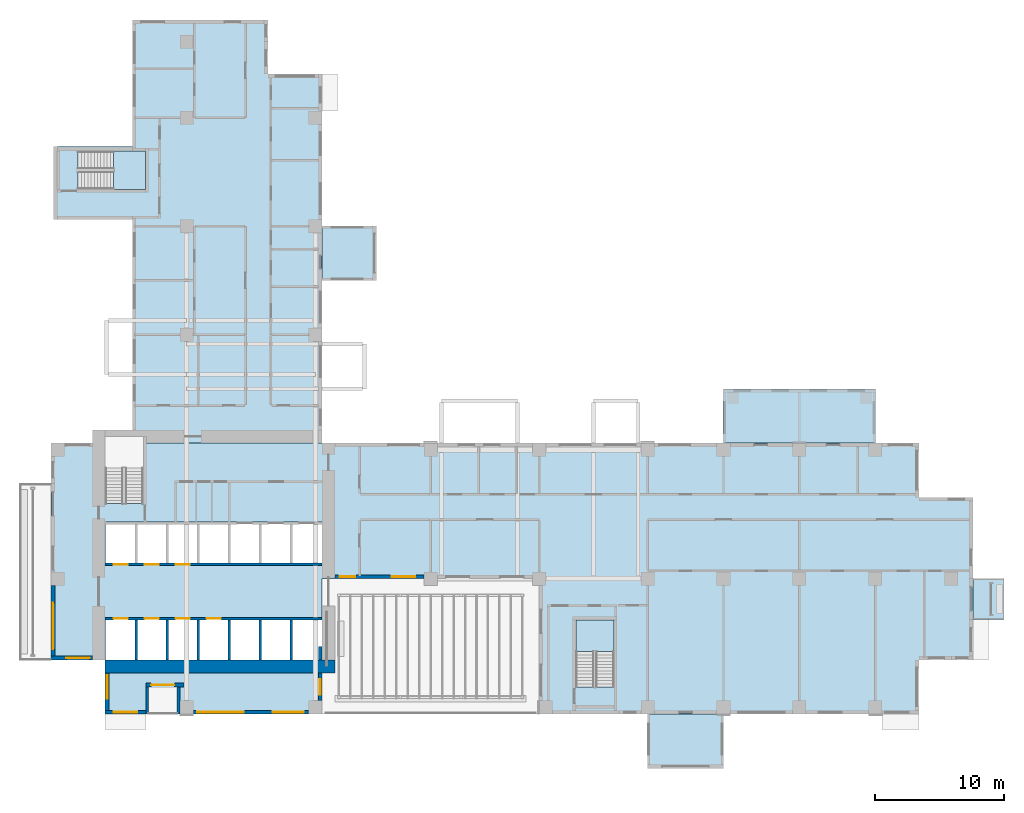
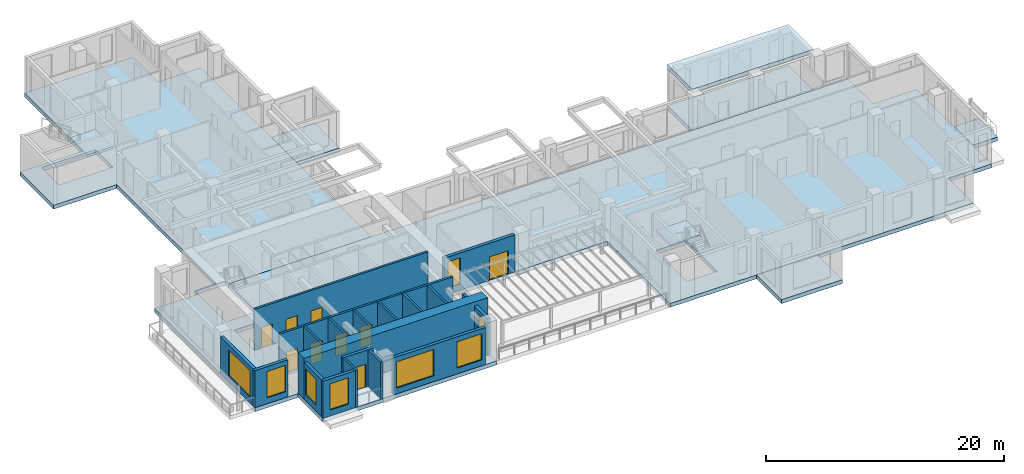
# One storey, part 3 of 15: 20 walls, 9 doors, 9 slabs, 8 windows, 17 openings, 2 elements without a shape of their own.
"""IFC4 building model written with IfcOpenShell, lengths in metres."""

from ifc_helpers import new_model, si_unit, direction, frame, frame_2d, origin, place, context, subcontext, project, spatial, polyline, rectangle, outline, extrude, source, transform, mapped, material, layer, layer_set, type_object, element, fill, aggregate, save


model = new_model("IFC4")

# Units and contexts
model_context = context("Model", 3, precision=1e-05, world=origin(), true_north=direction((0.0, 1.0)))
body_context = subcontext(model_context, "Body", "Model", "MODEL_VIEW")
ifc_project = project(units=[si_unit("LENGTHUNIT", "METRE"), si_unit("AREAUNIT", "SQUARE_METRE"), si_unit("VOLUMEUNIT", "CUBIC_METRE"), si_unit("PLANEANGLEUNIT", "RADIAN"), si_unit("MASSUNIT", "GRAM", prefix="KILO")], contexts=[model_context])

# Site, building, storey
site_placement = place(None, origin())
site = spatial("IfcSite", under=ifc_project, at=site_placement, CompositionType="ELEMENT")
building_placement = place(site_placement, origin())
building = spatial("IfcBuilding", under=site, at=building_placement, Name="Aurelian Terraces", CompositionType="ELEMENT")
storey_placement = place(building_placement, frame((0.0, 0.0, 145.5)))
storey = spatial("IfcBuildingStorey", under=building, at=storey_placement, Name="L32", CompositionType="ELEMENT", Elevation=145.5)

# Slabs
ifc_material_1 = material(Name="Concrete fc' 40 MPa", Category="concrete")
ifc_layer_1 = layer(ifc_material_1, 0.4)
ifc_layer_set_1 = layer_set([ifc_layer_1], Name="Box roof 400")
slab_type_1 = type_object("IfcSlabType", Name="Box roof 400", PredefinedType="ROOF", material=ifc_layer_set_1)
slab_1_placement = place(storey_placement, frame((0.0, 0.0, 3.8)))
element("IfcSlab", 1, at=slab_1_placement, inside=storey, type_object=slab_type_1, Name="Box roof K02", PredefinedType="ROOF", context=body_context, shape_type="SweptSolid", body=[
    extrude(outline(polyline([(63.84, 25.2), (52.08, 25.2), (52.08, 21.0), (63.84, 21.0), (63.84, 25.2)])), origin(), (0.0, 0.0, 1.0), 0.4),
])
ifc_layer_2 = layer(ifc_material_1, 0.4)
ifc_layer_set_2 = layer_set([ifc_layer_2], Name="PT FLAT PLATE 400")
slab_type_2 = type_object("IfcSlabType", Name="PT FLAT PLATE 400", PredefinedType="FLOOR", material=ifc_layer_set_2)
shared_shape_1 = source(origin(), body_context, "Body", "SweptSolid", [
    extrude(outline(polyline([(71.4, 16.8), (71.4, 4.2), (67.2, 4.2), (67.2, 0.0), (37.8, 0.0), (37.8, 10.5), (21.0, 10.5), (21.0, 0.0), (4.2, 0.0), (4.2, 4.2), (0.0, 4.2), (0.0, 21.0), (4.21, 21.0), (4.21, 16.31), (7.14, 16.31), (7.14, 21.0), (21.0, 21.0), (67.2, 21.0), (67.2, 16.8), (71.4, 16.8)]), holes=[polyline([(40.66, 2.11), (43.59, 2.11), (43.59, 7.29), (40.66, 7.29), (40.66, 2.11)]), polyline([(4.21, 7.49), (4.21, 4.21), (20.99, 4.21), (20.99, 7.49), (4.21, 7.49)]), polyline([(4.21, 14.89), (4.21, 11.51), (20.99, 11.51), (20.99, 14.89), (4.21, 14.89)])]), origin(), (0.0, 0.0, 1.0), 0.4),
])
slab_2_placement = place(storey_placement, frame((0.0, 0.0, -0.4)))
element("IfcSlab", 2, at=slab_2_placement, inside=storey, type_object=slab_type_2, Name="Floor slab S L32", PredefinedType="FLOOR", context=body_context, shape_type="MappedRepresentation", body=[
    mapped(shared_shape_1, transform((0.0, 0.0, 0.0), scale=1.0)),
])
shared_shape_2 = source(origin(), body_context, "Body", "SweptSolid", [
    extrude(outline(polyline([(0.2, 43.95), (6.3, 43.95), (6.3, 49.56), (6.3, 53.76), (10.5, 53.76), (16.8, 53.76), (16.8, 49.56), (21.0, 49.56), (21.0, 21.0), (7.14, 21.0), (7.14, 21.49), (4.21, 21.49), (4.21, 21.0), (4.2, 21.0), (4.2, 21.6), (6.3, 21.6), (6.3, 38.3), (0.2, 38.3), (0.2, 43.95)]), holes=[polyline([(7.29, 43.59), (2.11, 43.59), (2.11, 40.66), (7.29, 40.66), (7.29, 43.59)])]), origin(), (0.0, 0.0, 1.0), 0.4),
])
slab_3_placement = place(storey_placement, frame((0.0, 0.0, -0.4)))
element("IfcSlab", 3, at=slab_3_placement, inside=storey, type_object=slab_type_2, Name="Floor slab W L32", PredefinedType="FLOOR", context=body_context, shape_type="MappedRepresentation", body=[
    mapped(shared_shape_2, transform((0.0, 0.0, 0.0), scale=1.0)),
])
ifc_layer_3 = layer(ifc_material_1, 0.41)
ifc_layer_set_3 = layer_set([ifc_layer_3], Name="Box floor 410")
slab_type_3 = type_object("IfcSlabType", Name="Box floor 410", PredefinedType="NOTDEFINED", material=ifc_layer_set_3)
shared_shape_3 = source(origin(), body_context, "Body", "SweptSolid", [
    extrude(outline(polyline([(46.2, -4.2), (52.08, -4.2), (52.08, 0.0), (46.2, 0.0), (46.2, -4.2)])), origin(), (0.0, 0.0, 1.0), 0.41),
])
slab_4_placement = place(storey_placement, frame((0.0, 0.0, -0.41)))
element("IfcSlab", 4, at=slab_4_placement, inside=storey, type_object=slab_type_3, Name="Box floor L32 J45", PredefinedType="NOTDEFINED", context=body_context, shape_type="MappedRepresentation", body=[
    mapped(shared_shape_3, transform((0.0, 0.0, 0.0), scale=1.0)),
])
ifc_layer_4 = layer(ifc_material_1, 0.4)
ifc_layer_set_4 = layer_set([ifc_layer_4], Name="Balcony slab 400")
slab_type_4 = type_object("IfcSlabType", Name="Balcony slab 400", PredefinedType="NOTDEFINED", material=ifc_layer_set_4)
shared_shape_4 = source(origin(), body_context, "Body", "SweptSolid", [
    extrude(outline(polyline([(71.4, 7.35), (71.4, 10.5), (73.8, 10.5), (73.8, 7.35), (71.4, 7.35)])), origin(), (0.0, 0.0, 1.0), 0.4),
])
slab_5_placement = place(storey_placement, frame((0.0, 0.0, -0.4)))
element("IfcSlab", 5, at=slab_5_placement, inside=storey, type_object=slab_type_4, Name="Balcony slab L32 F08.18", PredefinedType="NOTDEFINED", context=body_context, shape_type="MappedRepresentation", body=[
    mapped(shared_shape_4, transform((0.0, 0.0, 0.0), scale=1.0)),
])
shared_shape_5 = source(origin(), body_context, "Body", "SweptSolid", [
    extrude(outline(polyline([(25.2, 33.6), (25.2, 37.8), (21.0, 37.8), (21.0, 33.6), (25.2, 33.6)])), origin(), (0.0, 0.0, 1.0), 0.41),
])
slab_6_placement = place(storey_placement, frame((0.0, 0.0, -0.41)))
element("IfcSlab", 6, at=slab_6_placement, inside=storey, type_object=slab_type_3, Name="Box floor L32 J46", PredefinedType="NOTDEFINED", context=body_context, shape_type="MappedRepresentation", body=[
    mapped(shared_shape_5, transform((0.0, 0.0, 0.0), scale=1.0)),
])
shared_shape_6 = source(origin(), body_context, "Body", "SweptSolid", [
    extrude(outline(polyline([(63.84, 25.2), (52.08, 25.2), (52.08, 21.0), (63.84, 21.0), (63.84, 25.2)])), origin(), (0.0, 0.0, 1.0), 0.41),
])
slab_7_placement = place(storey_placement, frame((0.0, 0.0, -0.41)))
element("IfcSlab", 7, at=slab_7_placement, inside=storey, type_object=slab_type_3, Name="Box floor L32 K02", PredefinedType="NOTDEFINED", context=body_context, shape_type="MappedRepresentation", body=[
    mapped(shared_shape_6, transform((0.0, 0.0, 0.0), scale=1.0)),
])

# Stair, slab
stair_type = type_object("IfcStairType", Name="Stair 1400", PredefinedType="HALF_TURN_STAIR", material=ifc_material_1)
stair_1_placement = place(storey_placement, origin())
stair_1 = element("IfcStair", 8, at=stair_1_placement, inside=storey, type_object=stair_type, Name="L32 S2", PredefinedType="HALF_TURN_STAIR")
ifc_layer_5 = layer(ifc_material_1, 0.2)
ifc_layer_set_5 = layer_set([ifc_layer_5], Name="Stair landing 200")
slab_type_5 = type_object("IfcSlabType", Name="Stair landing 200", PredefinedType="LANDING", material=ifc_layer_set_5)
shared_shape_7 = source(origin(), body_context, "Body", "SweptSolid", [
    extrude(outline(polyline([(43.6, 4.85), (43.6, 7.3), (40.65, 7.3), (40.65, 4.85), (43.6, 4.85)])), origin(), (0.0, 0.0, 1.0), 0.2),
])
slab_8_placement = place(storey_placement, frame((0.0, 0.0, 1.9)))
slab_8 = element("IfcSlab", 9, at=slab_8_placement, type_object=slab_type_5, Name="S2 landing 1", PredefinedType="LANDING", context=body_context, shape_type="MappedRepresentation", body=[
    mapped(shared_shape_7, transform((0.0, 0.0, 0.0), scale=1.0)),
])
aggregate(stair_1, [slab_8])

stair_2_placement = place(storey_placement, origin())
stair_2 = element("IfcStair", 10, at=stair_2_placement, inside=storey, type_object=stair_type, Name="L32 S3", PredefinedType="HALF_TURN_STAIR")
shared_shape_8 = source(origin(), body_context, "Body", "SweptSolid", [
    extrude(outline(polyline([(4.85, 40.65), (7.3, 40.65), (7.3, 43.6), (4.85, 43.6), (4.85, 40.65)])), origin(), (0.0, 0.0, 1.0), 0.2),
])
slab_9_placement = place(storey_placement, frame((0.0, 0.0, 1.9)))
slab_9 = element("IfcSlab", 11, at=slab_9_placement, type_object=slab_type_5, Name="S3 landing 1", PredefinedType="LANDING", context=body_context, shape_type="MappedRepresentation", body=[
    mapped(shared_shape_8, transform((0.0, 0.0, 0.0), scale=1.0)),
])
aggregate(stair_2, [slab_9])

# Wall
ifc_material_2 = material(Name="Concrete fc' 83 MPa", Category="concrete")
ifc_layer_6 = layer(ifc_material_2, 1.0)
ifc_layer_set_6 = layer_set([ifc_layer_6], Name="CORE WALL 1000 FC83")
wall_type_1 = type_object("IfcWallType", Name="CORE WALL 1000 FC83", PredefinedType="SHEAR", material=ifc_layer_set_6)
shared_shape_9 = source(origin(), body_context, "Body", "SweptSolid", [
    extrude(rectangle(XDim=17.8, YDim=1.0, at=frame_2d((8.9, 0.0))), origin(), (0.0, 0.0, 1.0), 4.2),
])
wall_1_placement = place(storey_placement, frame((4.2, 3.7, 0.0), z_axis=(0.0, 0.0, 1.0), x_axis=(1.0, 0.0, 0.0)))
element("IfcWall", 12, at=wall_1_placement, inside=storey, type_object=wall_type_1, Name="Core wall S L32", PredefinedType="SHEAR", context=body_context, shape_type="MappedRepresentation", body=[
    mapped(shared_shape_9, transform((0.0, 0.0, 0.0), scale=1.0)),
])

# Wall, opening, window
ifc_material_3 = material(Name="Terracotta rainscreen cladding", Category="masonry")
ifc_layer_7 = layer(ifc_material_3, 0.3)
ifc_layer_set_7 = layer_set([ifc_layer_7], Name="EW-300")
wall_type_2 = type_object("IfcWallType", Name="EW-300", PredefinedType="STANDARD", material=ifc_layer_set_7)
shared_shape_10 = source(origin(), body_context, "Body", "SweptSolid", [
    extrude(rectangle(XDim=3.15, YDim=0.3, at=frame_2d((1.575, 0.0))), origin(), (0.0, 0.0, 1.0), 3.8),
])
wall_2_placement = place(storey_placement, frame((4.2, 0.15, 0.0), z_axis=(0.0, 0.0, 1.0), x_axis=(1.0, 0.0, 0.0)))
wall_2 = element("IfcWall", 13, at=wall_2_placement, inside=storey, type_object=wall_type_2, Name="External wall L32 F01.1", PredefinedType="STANDARD", context=body_context, shape_type="MappedRepresentation", body=[
    mapped(shared_shape_10, transform((0.0, 0.0, 0.0), scale=1.0)),
])
shared_shape_11 = source(origin(), body_context, "Body", "SweptSolid", [
    extrude(rectangle(XDim=1.8, YDim=2.7, at=frame_2d((0.9, 1.35))), frame((0.0, 0.16, 0.0), z_axis=(0.0, -1.0, 0.0), x_axis=(1.0, 0.0, 0.0)), (0.0, 0.0, 1.0), 0.32),
])
opening_1_placement = place(wall_2_placement, frame((0.675, 0.0, 0.6)))
opening_1 = element("IfcOpeningElement", 14, at=opening_1_placement, cuts=wall_2, Name="Opening W1827", PredefinedType="OPENING", context=body_context, shape_type="MappedRepresentation", body=[
    mapped(shared_shape_11, transform((0.0, 0.0, 0.0), scale=1.0)),
])
ifc_material_4 = material(Name="Clear glazing", Category="glass")
window_type_1 = type_object("IfcWindowType", Name="W-1800x2700", PartitioningType="SINGLE_PANEL", PredefinedType="WINDOW", material=ifc_material_4)
shared_shape_12 = source(origin(), body_context, "Body", "SweptSolid", [
    extrude(rectangle(XDim=1.8, YDim=2.7, at=frame_2d((0.9, 1.35))), frame((0.0, 0.03, 0.0), z_axis=(0.0, -1.0, 0.0), x_axis=(1.0, 0.0, 0.0)), (0.0, 0.0, 1.0), 0.06),
])
window_1_placement = place(opening_1_placement, origin())
window_1 = element("IfcWindow", 15, at=window_1_placement, inside=storey, type_object=window_type_1, Name="Window L32 L32-F01-01-0", OverallHeight=2.7, OverallWidth=1.8, PartitioningType="SINGLE_PANEL", PredefinedType="WINDOW", context=body_context, shape_type="MappedRepresentation", body=[
    mapped(shared_shape_12, transform((0.0, 0.0, 0.0), scale=1.0)),
])
fill(opening_1, window_1)

# Walls
ifc_layer_8 = layer(ifc_material_3, 0.2)
ifc_layer_set_8 = layer_set([ifc_layer_8], Name="EW-200")
wall_type_3 = type_object("IfcWallType", Name="EW-200", PredefinedType="STANDARD", material=ifc_layer_set_8)
shared_shape_13 = source(origin(), body_context, "Body", "SweptSolid", [
    extrude(rectangle(XDim=2.1, YDim=0.2, at=frame_2d((1.05, 0.0))), origin(), (0.0, 0.0, 1.0), 3.8),
])
for number, where, z_axis, x_axis, name in (
    (16, (7.45, 0.0, 0.0), (0.0, 0.0, 1.0), (0.0, 1.0, 0.0), "Loggia return L32 F01.2.1"),
    (17, (9.875, 0.0, 0.0), (0.0, 0.0, 1.0), (0.0, 1.0, 0.0), "Loggia return L32 F01.2.2"),
):
    element("IfcWall", number, at=place(storey_placement, frame(where, z_axis=z_axis, x_axis=x_axis)), inside=storey, type_object=wall_type_3, Name=name, PredefinedType="STANDARD", context=body_context, shape_type="MappedRepresentation", body=[
        mapped(shared_shape_13, transform((0.0, 0.0, 0.0), scale=1.0)),
    ])
shared_shape_14 = source(origin(), body_context, "Body", "SweptSolid", [
    extrude(rectangle(XDim=1.05, YDim=0.3, at=frame_2d((0.525, 0.0))), origin(), (0.0, 0.0, 1.0), 3.8),
])
wall_3_placement = place(storey_placement, frame((20.85, 4.2, 0.0), z_axis=(0.0, 0.0, 1.0), x_axis=(0.0, 1.0, 0.0)))
element("IfcWall", 18, at=wall_3_placement, inside=storey, type_object=wall_type_2, Name="External wall L32 F02.4", PredefinedType="STANDARD", context=body_context, shape_type="MappedRepresentation", body=[
    mapped(shared_shape_14, transform((0.0, 0.0, 0.0), scale=1.0)),
])

# Wall, opening, door
shared_shape_15 = source(origin(), body_context, "Body", "SweptSolid", [
    extrude(rectangle(XDim=2.95, YDim=0.3, at=frame_2d((1.475, 0.0))), origin(), (0.0, 0.0, 1.0), 3.8),
])
wall_4_placement = place(storey_placement, frame((7.35, 2.25, 0.0), z_axis=(0.0, 0.0, 1.0), x_axis=(1.0, 0.0, 0.0)))
wall_4 = element("IfcWall", 19, at=wall_4_placement, inside=storey, type_object=wall_type_2, Name="Loggia wall L32 F01.2", PredefinedType="STANDARD", context=body_context, shape_type="MappedRepresentation", body=[
    mapped(shared_shape_15, transform((0.0, 0.0, 0.0), scale=1.0)),
])
shared_shape_16 = source(origin(), body_context, "Body", "SweptSolid", [
    extrude(rectangle(XDim=1.8, YDim=2.4, at=frame_2d((0.9, 1.2))), frame((0.0, 0.16, 0.0), z_axis=(0.0, -1.0, 0.0), x_axis=(1.0, 0.0, 0.0)), (0.0, 0.0, 1.0), 0.32),
])
opening_2_placement = place(wall_4_placement, frame((0.4125, 0.0, 0.0)))
opening_2 = element("IfcOpeningElement", 20, at=opening_2_placement, cuts=wall_4, Name="Opening 83201", PredefinedType="OPENING", context=body_context, shape_type="MappedRepresentation", body=[
    mapped(shared_shape_16, transform((0.0, 0.0, 0.0), scale=1.0)),
])
door_type_1 = type_object("IfcDoorType", Name="BD-1800x2400", OperationType="SLIDING_TO_LEFT", PredefinedType="DOOR", material=ifc_material_4)
shared_shape_17 = source(origin(), body_context, "Body", "SweptSolid", [
    extrude(rectangle(XDim=1.8, YDim=2.4, at=frame_2d((0.9, 1.2))), frame((0.0, 0.025, 0.0), z_axis=(0.0, -1.0, 0.0), x_axis=(1.0, 0.0, 0.0)), (0.0, 0.0, 1.0), 0.05),
])
door_1_placement = place(opening_2_placement, origin())
door_1 = element("IfcDoor", 21, at=door_1_placement, inside=storey, type_object=door_type_1, Name="Balcony door L32 F01.2", OperationType="SLIDING_TO_LEFT", OverallHeight=2.4, OverallWidth=1.8, PredefinedType="DOOR", context=body_context, shape_type="MappedRepresentation", body=[
    mapped(shared_shape_17, transform((0.0, 0.0, 0.0), scale=1.0)),
])
fill(opening_2, door_1)

# Wall, openings, windows
shared_shape_18 = source(origin(), body_context, "Body", "SweptSolid", [
    extrude(rectangle(XDim=8.925, YDim=0.3, at=frame_2d((4.4625, 0.0))), origin(), (0.0, 0.0, 1.0), 3.8),
])
wall_5_placement = place(storey_placement, frame((11.025, 0.15, 0.0), z_axis=(0.0, 0.0, 1.0), x_axis=(1.0, 0.0, 0.0)))
wall_5 = element("IfcWall", 22, at=wall_5_placement, inside=storey, type_object=wall_type_2, Name="External wall L32 F01.3", PredefinedType="STANDARD", context=body_context, shape_type="MappedRepresentation", body=[
    mapped(shared_shape_18, transform((0.0, 0.0, 0.0), scale=1.0)),
])
shared_shape_19 = source(origin(), body_context, "Body", "SweptSolid", [
    extrude(rectangle(XDim=3.6, YDim=2.7, at=frame_2d((1.8, 1.35))), frame((0.0, 0.16, 0.0), z_axis=(0.0, -1.0, 0.0), x_axis=(1.0, 0.0, 0.0)), (0.0, 0.0, 1.0), 0.32),
])
opening_3_placement = place(wall_5_placement, frame((0.3, 0.0, 0.6)))
opening_3 = element("IfcOpeningElement", 23, at=opening_3_placement, cuts=wall_5, Name="Opening W3627", PredefinedType="OPENING", context=body_context, shape_type="MappedRepresentation", body=[
    mapped(shared_shape_19, transform((0.0, 0.0, 0.0), scale=1.0)),
])
shared_shape_20 = source(origin(), body_context, "Body", "SweptSolid", [
    extrude(rectangle(XDim=2.4, YDim=2.7, at=frame_2d((1.2, 1.35))), frame((0.0, 0.16, 0.0), z_axis=(0.0, -1.0, 0.0), x_axis=(1.0, 0.0, 0.0)), (0.0, 0.0, 1.0), 0.32),
])
opening_4_placement = place(wall_5_placement, frame((6.15, 0.0, 0.6)))
opening_4 = element("IfcOpeningElement", 24, at=opening_4_placement, cuts=wall_5, Name="Opening W2427", PredefinedType="OPENING", context=body_context, shape_type="MappedRepresentation", body=[
    mapped(shared_shape_20, transform((0.0, 0.0, 0.0), scale=1.0)),
])
window_type_2 = type_object("IfcWindowType", Name="W-3600x2700", PartitioningType="SINGLE_PANEL", PredefinedType="WINDOW", material=ifc_material_4)
shared_shape_21 = source(origin(), body_context, "Body", "SweptSolid", [
    extrude(rectangle(XDim=3.6, YDim=2.7, at=frame_2d((1.8, 1.35))), frame((0.0, 0.03, 0.0), z_axis=(0.0, -1.0, 0.0), x_axis=(1.0, 0.0, 0.0)), (0.0, 0.0, 1.0), 0.06),
])
window_2_placement = place(opening_3_placement, origin())
window_2 = element("IfcWindow", 25, at=window_2_placement, inside=storey, type_object=window_type_2, Name="Window L32 L32-F01-03-0", OverallHeight=2.7, OverallWidth=3.6, PartitioningType="SINGLE_PANEL", PredefinedType="WINDOW", context=body_context, shape_type="MappedRepresentation", body=[
    mapped(shared_shape_21, transform((0.0, 0.0, 0.0), scale=1.0)),
])
fill(opening_3, window_2)
window_type_3 = type_object("IfcWindowType", Name="W-2400x2700", PartitioningType="SINGLE_PANEL", PredefinedType="WINDOW", material=ifc_material_4)
shared_shape_22 = source(origin(), body_context, "Body", "SweptSolid", [
    extrude(rectangle(XDim=2.4, YDim=2.7, at=frame_2d((1.2, 1.35))), frame((0.0, 0.03, 0.0), z_axis=(0.0, -1.0, 0.0), x_axis=(1.0, 0.0, 0.0)), (0.0, 0.0, 1.0), 0.06),
])
window_3_placement = place(opening_4_placement, origin())
window_3 = element("IfcWindow", 26, at=window_3_placement, inside=storey, type_object=window_type_3, Name="Window L32 L32-F01-03-1", OverallHeight=2.7, OverallWidth=2.4, PartitioningType="SINGLE_PANEL", PredefinedType="WINDOW", context=body_context, shape_type="MappedRepresentation", body=[
    mapped(shared_shape_22, transform((0.0, 0.0, 0.0), scale=1.0)),
])
fill(opening_4, window_3)

# Wall, openings, door, window
shared_shape_23 = source(origin(), body_context, "Body", "SweptSolid", [
    extrude(rectangle(XDim=6.875, YDim=0.3, at=frame_2d((3.4375, 0.0))), origin(), (0.0, 0.0, 1.0), 3.8),
])
wall_6_placement = place(storey_placement, frame((22.0, 10.65, 0.0), z_axis=(0.0, 0.0, 1.0), x_axis=(1.0, 0.0, 0.0)))
wall_6 = element("IfcWall", 27, at=wall_6_placement, inside=storey, type_object=wall_type_2, Name="External wall L32 F03.6", PredefinedType="STANDARD", context=body_context, shape_type="MappedRepresentation", body=[
    mapped(shared_shape_23, transform((0.0, 0.0, 0.0), scale=1.0)),
])
shared_shape_24 = source(origin(), body_context, "Body", "SweptSolid", [
    extrude(rectangle(XDim=1.2, YDim=2.7, at=frame_2d((0.6, 1.35))), frame((0.0, 0.16, 0.0), z_axis=(0.0, -1.0, 0.0), x_axis=(1.0, 0.0, 0.0)), (0.0, 0.0, 1.0), 0.32),
])
opening_5_placement = place(wall_6_placement, frame((0.3625, 0.0, 0.6)))
opening_5 = element("IfcOpeningElement", 28, at=opening_5_placement, cuts=wall_6, Name="Opening W1227", PredefinedType="OPENING", context=body_context, shape_type="MappedRepresentation", body=[
    mapped(shared_shape_24, transform((0.0, 0.0, 0.0), scale=1.0)),
])
opening_6_placement = place(wall_6_placement, frame((4.4, 0.0, 0.0)))
opening_6 = element("IfcOpeningElement", 29, at=opening_6_placement, cuts=wall_6, Name="Opening 83202", PredefinedType="OPENING", context=body_context, shape_type="MappedRepresentation", body=[
    mapped(shared_shape_16, transform((0.0, 0.0, 0.0), scale=1.0)),
])
door_2_placement = place(opening_6_placement, origin())
door_2 = element("IfcDoor", 30, at=door_2_placement, inside=storey, type_object=door_type_1, Name="Terrace door L32 L32-F03-06.2", OperationType="SLIDING_TO_LEFT", OverallHeight=2.4, OverallWidth=1.8, PredefinedType="DOOR", context=body_context, shape_type="MappedRepresentation", body=[
    mapped(shared_shape_17, transform((0.0, 0.0, 0.0), scale=1.0)),
])
fill(opening_6, door_2)
window_type_4 = type_object("IfcWindowType", Name="W-1200x2700", PartitioningType="SINGLE_PANEL", PredefinedType="WINDOW", material=ifc_material_4)
shared_shape_25 = source(origin(), body_context, "Body", "SweptSolid", [
    extrude(rectangle(XDim=1.2, YDim=2.7, at=frame_2d((0.6, 1.35))), frame((0.0, 0.03, 0.0), z_axis=(0.0, -1.0, 0.0), x_axis=(1.0, 0.0, 0.0)), (0.0, 0.0, 1.0), 0.06),
])
window_4_placement = place(opening_5_placement, origin())
window_4 = element("IfcWindow", 31, at=window_4_placement, inside=storey, type_object=window_type_4, Name="Window L32 L32-F03-06-0", OverallHeight=2.7, OverallWidth=1.2, PartitioningType="SINGLE_PANEL", PredefinedType="WINDOW", context=body_context, shape_type="MappedRepresentation", body=[
    mapped(shared_shape_25, transform((0.0, 0.0, 0.0), scale=1.0)),
])
fill(opening_5, window_4)

# Wall, opening, window
shared_shape_26 = source(origin(), body_context, "Body", "SweptSolid", [
    extrude(rectangle(XDim=2.15, YDim=0.3, at=frame_2d((1.075, 0.0))), origin(), (0.0, 0.0, 1.0), 3.8),
])
wall_7_placement = place(storey_placement, frame((20.85, 1.05, 0.0), z_axis=(0.0, 0.0, 1.0), x_axis=(0.0, 1.0, 0.0)))
wall_7 = element("IfcWall", 32, at=wall_7_placement, inside=storey, type_object=wall_type_2, Name="External wall L32 F02.4", PredefinedType="STANDARD", context=body_context, shape_type="MappedRepresentation", body=[
    mapped(shared_shape_26, transform((0.0, 0.0, 0.0), scale=1.0)),
])
opening_7_placement = place(wall_7_placement, frame((0.475, 0.0, 0.6)))
opening_7 = element("IfcOpeningElement", 33, at=opening_7_placement, cuts=wall_7, Name="Opening W1227", PredefinedType="OPENING", context=body_context, shape_type="MappedRepresentation", body=[
    mapped(shared_shape_24, transform((0.0, 0.0, 0.0), scale=1.0)),
])
window_5_placement = place(opening_7_placement, origin())
window_5 = element("IfcWindow", 34, at=window_5_placement, inside=storey, type_object=window_type_4, Name="Window L32 L32-F02-04-P0", OverallHeight=2.7, OverallWidth=1.2, PartitioningType="SINGLE_PANEL", PredefinedType="WINDOW", context=body_context, shape_type="MappedRepresentation", body=[
    mapped(shared_shape_25, transform((0.0, 0.0, 0.0), scale=1.0)),
])
fill(opening_7, window_5)

shared_shape_27 = source(origin(), body_context, "Body", "SweptSolid", [
    extrude(rectangle(XDim=3.2, YDim=0.3, at=frame_2d((1.6, 0.0))), origin(), (0.0, 0.0, 1.0), 3.8),
])
wall_8_placement = place(storey_placement, frame((0.0, 4.35, 0.0), z_axis=(0.0, 0.0, 1.0), x_axis=(1.0, 0.0, 0.0)))
wall_8 = element("IfcWall", 35, at=wall_8_placement, inside=storey, type_object=wall_type_2, Name="External wall L32 F25.42", PredefinedType="STANDARD", context=body_context, shape_type="MappedRepresentation", body=[
    mapped(shared_shape_27, transform((0.0, 0.0, 0.0), scale=1.0)),
])
opening_8_placement = place(wall_8_placement, frame((1.2, 0.0, 0.6)))
opening_8 = element("IfcOpeningElement", 36, at=opening_8_placement, cuts=wall_8, Name="Opening W1827", PredefinedType="OPENING", context=body_context, shape_type="MappedRepresentation", body=[
    mapped(shared_shape_11, transform((0.0, 0.0, 0.0), scale=1.0)),
])
window_6_placement = place(opening_8_placement, origin())
window_6 = element("IfcWindow", 37, at=window_6_placement, inside=storey, type_object=window_type_1, Name="Window L32 L32-F25-42-0", OverallHeight=2.7, OverallWidth=1.8, PartitioningType="SINGLE_PANEL", PredefinedType="WINDOW", context=body_context, shape_type="MappedRepresentation", body=[
    mapped(shared_shape_12, transform((0.0, 0.0, 0.0), scale=1.0)),
])
fill(opening_8, window_6)

wall_9_placement = place(storey_placement, frame((4.35, 3.2, 0.0), z_axis=(0.0, 0.0, 1.0), x_axis=(0.0, -1.0, 0.0)))
wall_9 = element("IfcWall", 38, at=wall_9_placement, inside=storey, type_object=wall_type_2, Name="External wall L32 F26.43", PredefinedType="STANDARD", context=body_context, shape_type="MappedRepresentation", body=[
    mapped(shared_shape_27, transform((0.0, 0.0, 0.0), scale=1.0)),
])
opening_9_placement = place(wall_9_placement, frame((0.2, 0.0, 0.6)))
opening_9 = element("IfcOpeningElement", 39, at=opening_9_placement, cuts=wall_9, Name="Opening W1827", PredefinedType="OPENING", context=body_context, shape_type="MappedRepresentation", body=[
    mapped(shared_shape_11, transform((0.0, 0.0, 0.0), scale=1.0)),
])
window_7_placement = place(opening_9_placement, origin())
window_7 = element("IfcWindow", 40, at=window_7_placement, inside=storey, type_object=window_type_1, Name="Window L32 L32-F26-43-0", OverallHeight=2.7, OverallWidth=1.8, PartitioningType="SINGLE_PANEL", PredefinedType="WINDOW", context=body_context, shape_type="MappedRepresentation", body=[
    mapped(shared_shape_12, transform((0.0, 0.0, 0.0), scale=1.0)),
])
fill(opening_9, window_7)

shared_shape_28 = source(origin(), body_context, "Body", "SweptSolid", [
    extrude(rectangle(XDim=5.775, YDim=0.3, at=frame_2d((2.8875, 0.0))), origin(), (0.0, 0.0, 1.0), 3.8),
])
wall_10_placement = place(storey_placement, frame((0.15, 9.975, 0.0), z_axis=(0.0, 0.0, 1.0), x_axis=(0.0, -1.0, 0.0)))
wall_10 = element("IfcWall", 41, at=wall_10_placement, inside=storey, type_object=wall_type_2, Name="External wall L32 F24.41", PredefinedType="STANDARD", context=body_context, shape_type="MappedRepresentation", body=[
    mapped(shared_shape_28, transform((0.0, 0.0, 0.0), scale=1.0)),
])
opening_10_placement = place(wall_10_placement, frame((1.35, 0.0, 0.6)))
opening_10 = element("IfcOpeningElement", 42, at=opening_10_placement, cuts=wall_10, Name="Opening W3627", PredefinedType="OPENING", context=body_context, shape_type="MappedRepresentation", body=[
    mapped(shared_shape_19, transform((0.0, 0.0, 0.0), scale=1.0)),
])
window_8_placement = place(opening_10_placement, origin())
window_8 = element("IfcWindow", 43, at=window_8_placement, inside=storey, type_object=window_type_2, Name="Window L32 L32-F24-41-2", OverallHeight=2.7, OverallWidth=3.6, PartitioningType="SINGLE_PANEL", PredefinedType="WINDOW", context=body_context, shape_type="MappedRepresentation", body=[
    mapped(shared_shape_21, transform((0.0, 0.0, 0.0), scale=1.0)),
])
fill(opening_10, window_8)

# Walls
ifc_layer_9 = layer(ifc_material_1, 0.2)
ifc_layer_set_9 = layer_set([ifc_layer_9], Name="Lift shaft wall 200")
wall_type_4 = type_object("IfcWallType", Name="Lift shaft wall 200", PredefinedType="SOLIDWALL", material=ifc_layer_set_9)
shared_shape_29 = source(origin(), body_context, "Body", "SweptSolid", [
    extrude(rectangle(XDim=3.1, YDim=0.2, at=frame_2d((1.55, 0.0))), origin(), (0.0, 0.0, 1.0), 4.2),
])
for number, where, z_axis, x_axis, name in (
    (44, (6.6, 4.2, 0.0), (0.0, 0.0, 1.0), (0.0, 1.0, 0.0), "L32 core wall CD-A1"),
    (45, (9.0, 4.2, 0.0), (0.0, 0.0, 1.0), (0.0, 1.0, 0.0), "L32 core wall CD-A2"),
    (46, (11.4, 4.2, 0.0), (0.0, 0.0, 1.0), (0.0, 1.0, 0.0), "L32 core wall CD-A3"),
    (47, (13.8, 4.2, 0.0), (0.0, 0.0, 1.0), (0.0, 1.0, 0.0), "L32 core wall CD-A4"),
    (48, (16.2, 4.2, 0.0), (0.0, 0.0, 1.0), (0.0, 1.0, 0.0), "L32 core wall CD-A5"),
    (49, (18.6, 4.2, 0.0), (0.0, 0.0, 1.0), (0.0, 1.0, 0.0), "L32 core wall CD-A6"),
):
    element("IfcWall", number, at=place(storey_placement, frame(where, z_axis=z_axis, x_axis=x_axis)), inside=storey, type_object=wall_type_4, Name=name, PredefinedType="SOLIDWALL", context=body_context, shape_type="MappedRepresentation", body=[
        mapped(shared_shape_29, transform((0.0, 0.0, 0.0), scale=1.0)),
    ])

# Wall, openings, doors
shared_shape_30 = source(origin(), body_context, "Body", "SweptSolid", [
    extrude(rectangle(XDim=16.8, YDim=0.2, at=frame_2d((8.4, 0.0))), origin(), (0.0, 0.0, 1.0), 4.2),
])
wall_11_placement = place(storey_placement, frame((4.2, 7.4, 0.0), z_axis=(0.0, 0.0, 1.0), x_axis=(1.0, 0.0, 0.0)))
wall_11 = element("IfcWall", 50, at=wall_11_placement, inside=storey, type_object=wall_type_4, Name="L32 core wall CF-AF1", PredefinedType="SOLIDWALL", context=body_context, shape_type="MappedRepresentation", body=[
    mapped(shared_shape_30, transform((0.0, 0.0, 0.0), scale=1.0)),
])
shared_shape_31 = source(origin(), body_context, "Body", "SweptSolid", [
    extrude(rectangle(XDim=1.1, YDim=2.1, at=frame_2d((0.55, 1.05))), frame((0.0, 0.11, 0.0), z_axis=(0.0, -1.0, 0.0), x_axis=(1.0, 0.0, 0.0)), (0.0, 0.0, 1.0), 0.22),
])
opening_11_placement = place(wall_11_placement, frame((0.65, 0.0, 0.0)))
opening_11 = element("IfcOpeningElement", 51, at=opening_11_placement, cuts=wall_11, Name="Opening 63500", PredefinedType="OPENING", context=body_context, shape_type="MappedRepresentation", body=[
    mapped(shared_shape_31, transform((0.0, 0.0, 0.0), scale=1.0)),
])
opening_12_placement = place(wall_11_placement, frame((3.05, 0.0, 0.0)))
opening_12 = element("IfcOpeningElement", 52, at=opening_12_placement, cuts=wall_11, Name="Opening 63501", PredefinedType="OPENING", context=body_context, shape_type="MappedRepresentation", body=[
    mapped(shared_shape_31, transform((0.0, 0.0, 0.0), scale=1.0)),
])
opening_13_placement = place(wall_11_placement, frame((5.45, 0.0, 0.0)))
opening_13 = element("IfcOpeningElement", 53, at=opening_13_placement, cuts=wall_11, Name="Opening 63502", PredefinedType="OPENING", context=body_context, shape_type="MappedRepresentation", body=[
    mapped(shared_shape_31, transform((0.0, 0.0, 0.0), scale=1.0)),
])
opening_14_placement = place(wall_11_placement, frame((7.85, 0.0, 0.0)))
opening_14 = element("IfcOpeningElement", 54, at=opening_14_placement, cuts=wall_11, Name="Opening 63503", PredefinedType="OPENING", context=body_context, shape_type="MappedRepresentation", body=[
    mapped(shared_shape_31, transform((0.0, 0.0, 0.0), scale=1.0)),
])
ifc_material_5 = material(Name="Stainless steel", Category="steel")
door_type_2 = type_object("IfcDoorType", Name="Lift landing door 1100x2100", OperationType="SLIDING_TO_LEFT", PredefinedType="DOOR", material=ifc_material_5)
shared_shape_32 = source(origin(), body_context, "Body", "SweptSolid", [
    extrude(rectangle(XDim=1.1, YDim=2.1, at=frame_2d((0.55, 1.05))), frame((0.0, 0.025, 0.0), z_axis=(0.0, -1.0, 0.0), x_axis=(1.0, 0.0, 0.0)), (0.0, 0.0, 1.0), 0.05),
])
door_3_placement = place(opening_11_placement, origin())
door_3 = element("IfcDoor", 55, at=door_3_placement, inside=storey, type_object=door_type_2, Name="Lift landing door LL1 L32", OperationType="SLIDING_TO_LEFT", OverallHeight=2.1, OverallWidth=1.1, PredefinedType="DOOR", context=body_context, shape_type="MappedRepresentation", body=[
    mapped(shared_shape_32, transform((0.0, 0.0, 0.0), scale=1.0)),
])
fill(opening_11, door_3)
door_4_placement = place(opening_12_placement, origin())
door_4 = element("IfcDoor", 56, at=door_4_placement, inside=storey, type_object=door_type_2, Name="Lift landing door LL2 L32", OperationType="SLIDING_TO_LEFT", OverallHeight=2.1, OverallWidth=1.1, PredefinedType="DOOR", context=body_context, shape_type="MappedRepresentation", body=[
    mapped(shared_shape_32, transform((0.0, 0.0, 0.0), scale=1.0)),
])
fill(opening_12, door_4)
door_5_placement = place(opening_13_placement, origin())
door_5 = element("IfcDoor", 57, at=door_5_placement, inside=storey, type_object=door_type_2, Name="Lift landing door LL3 L32", OperationType="SLIDING_TO_LEFT", OverallHeight=2.1, OverallWidth=1.1, PredefinedType="DOOR", context=body_context, shape_type="MappedRepresentation", body=[
    mapped(shared_shape_32, transform((0.0, 0.0, 0.0), scale=1.0)),
])
fill(opening_13, door_5)
door_6_placement = place(opening_14_placement, origin())
door_6 = element("IfcDoor", 58, at=door_6_placement, inside=storey, type_object=door_type_2, Name="Lift landing door LL4 L32", OperationType="SLIDING_TO_LEFT", OverallHeight=2.1, OverallWidth=1.1, PredefinedType="DOOR", context=body_context, shape_type="MappedRepresentation", body=[
    mapped(shared_shape_32, transform((0.0, 0.0, 0.0), scale=1.0)),
])
fill(opening_14, door_6)

wall_12_placement = place(storey_placement, frame((4.2, 11.6, 0.0), z_axis=(0.0, 0.0, 1.0), x_axis=(1.0, 0.0, 0.0)))
wall_12 = element("IfcWall", 59, at=wall_12_placement, inside=storey, type_object=wall_type_4, Name="L32 core wall CF-BF1", PredefinedType="SOLIDWALL", context=body_context, shape_type="MappedRepresentation", body=[
    mapped(shared_shape_30, transform((0.0, 0.0, 0.0), scale=1.0)),
])
opening_15_placement = place(wall_12_placement, frame((0.65, 0.0, 0.0)))
opening_15 = element("IfcOpeningElement", 60, at=opening_15_placement, cuts=wall_12, Name="Opening 63504", PredefinedType="OPENING", context=body_context, shape_type="MappedRepresentation", body=[
    mapped(shared_shape_31, transform((0.0, 0.0, 0.0), scale=1.0)),
])
opening_16_placement = place(wall_12_placement, frame((3.05, 0.0, 0.0)))
opening_16 = element("IfcOpeningElement", 61, at=opening_16_placement, cuts=wall_12, Name="Opening 63505", PredefinedType="OPENING", context=body_context, shape_type="MappedRepresentation", body=[
    mapped(shared_shape_31, transform((0.0, 0.0, 0.0), scale=1.0)),
])
opening_17_placement = place(wall_12_placement, frame((5.45, 0.0, 0.0)))
opening_17 = element("IfcOpeningElement", 62, at=opening_17_placement, cuts=wall_12, Name="Opening 63506", PredefinedType="OPENING", context=body_context, shape_type="MappedRepresentation", body=[
    mapped(shared_shape_31, transform((0.0, 0.0, 0.0), scale=1.0)),
])
door_7_placement = place(opening_15_placement, origin())
door_7 = element("IfcDoor", 63, at=door_7_placement, inside=storey, type_object=door_type_2, Name="Lift landing door LL5 L32", OperationType="SLIDING_TO_LEFT", OverallHeight=2.1, OverallWidth=1.1, PredefinedType="DOOR", context=body_context, shape_type="MappedRepresentation", body=[
    mapped(shared_shape_32, transform((0.0, 0.0, 0.0), scale=1.0)),
])
fill(opening_15, door_7)
door_8_placement = place(opening_16_placement, origin())
door_8 = element("IfcDoor", 64, at=door_8_placement, inside=storey, type_object=door_type_2, Name="Lift landing door LL6 L32", OperationType="SLIDING_TO_LEFT", OverallHeight=2.1, OverallWidth=1.1, PredefinedType="DOOR", context=body_context, shape_type="MappedRepresentation", body=[
    mapped(shared_shape_32, transform((0.0, 0.0, 0.0), scale=1.0)),
])
fill(opening_16, door_8)
door_9_placement = place(opening_17_placement, origin())
door_9 = element("IfcDoor", 65, at=door_9_placement, inside=storey, type_object=door_type_2, Name="Lift landing door LL7 L32", OperationType="SLIDING_TO_LEFT", OverallHeight=2.1, OverallWidth=1.1, PredefinedType="DOOR", context=body_context, shape_type="MappedRepresentation", body=[
    mapped(shared_shape_32, transform((0.0, 0.0, 0.0), scale=1.0)),
])
fill(opening_17, door_9)

save(model, "model.ifc")
